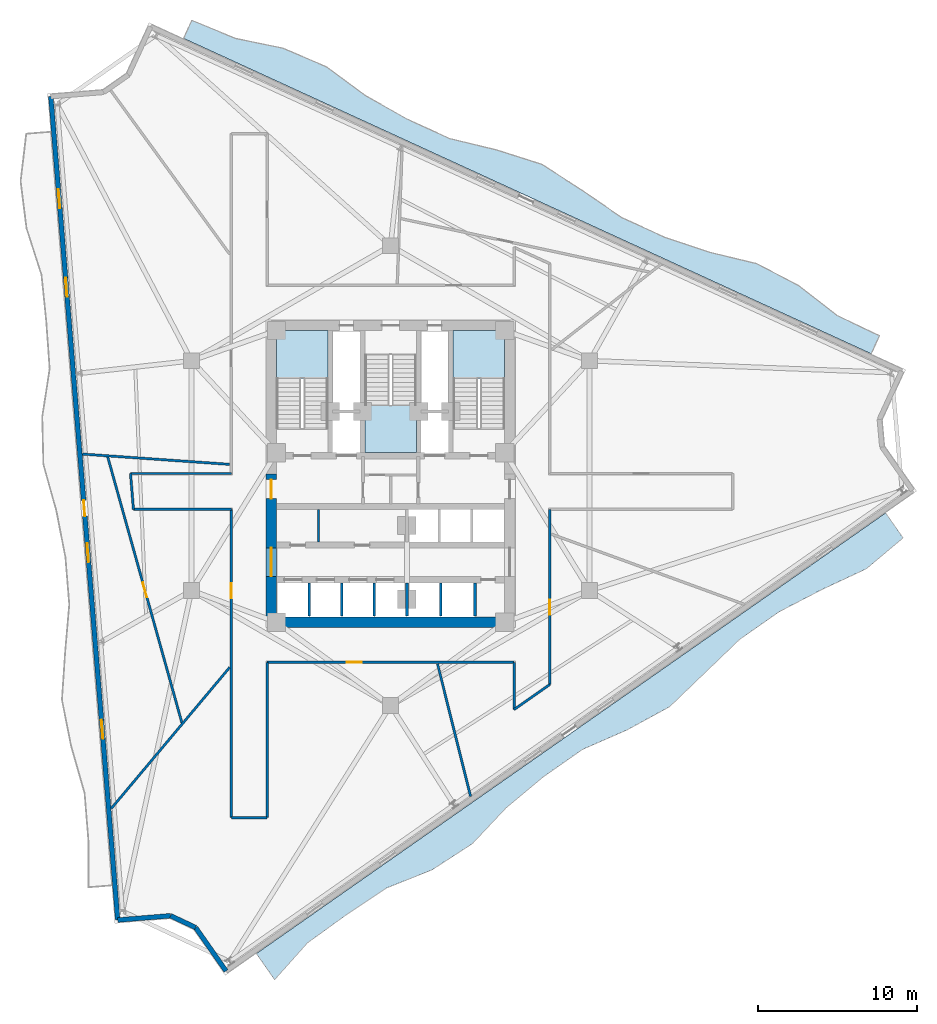
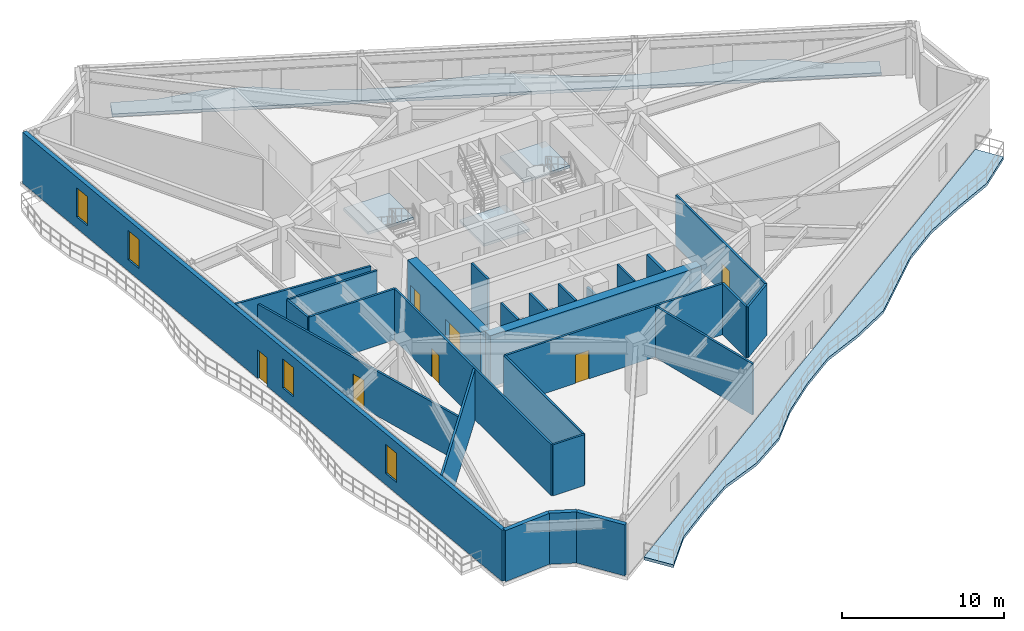
# One storey, part 4 of 11: 27 walls, 7 doors, 5 slabs, 4 windows, 11 openings, 3 elements without a shape of their own.
"""IFC4 building model written with IfcOpenShell, lengths in metres."""

from ifc_helpers import new_model, si_unit, direction, frame, frame_2d, origin, place, context, subcontext, project, spatial, polyline, rectangle, outline, extrude, material, layer, layer_set, type_object, element, fill, aggregate, save


model = new_model("IFC4")

# Units and contexts
model_context = context("Model", 3, precision=1e-05, world=origin(), true_north=direction((0.0, 1.0)))
body_context = subcontext(model_context, "Body", "Model", "MODEL_VIEW")
ifc_project = project(units=[si_unit("LENGTHUNIT", "METRE"), si_unit("AREAUNIT", "SQUARE_METRE"), si_unit("VOLUMEUNIT", "CUBIC_METRE"), si_unit("PLANEANGLEUNIT", "RADIAN"), si_unit("MASSUNIT", "GRAM", prefix="KILO")], contexts=[model_context])

# Site, building, storey
site_placement = place(None, origin())
site = spatial("IfcSite", under=ifc_project, at=site_placement, CompositionType="ELEMENT")
building_placement = place(site_placement, origin())
building = spatial("IfcBuilding", under=site, at=building_placement, Name="Apsidion Concourse Tower", CompositionType="ELEMENT")
storey_placement = place(building_placement, frame((0.0, 0.0, 206.5)))
storey = spatial("IfcBuildingStorey", under=building, at=storey_placement, Name="L48", CompositionType="ELEMENT", Elevation=206.5)

# Slabs
ifc_material_1 = material(Name="Concrete C50/60", Category="concrete")
ifc_layer_1 = layer(ifc_material_1, 0.219970703125)
ifc_layer_set_1 = layer_set([ifc_layer_1], Name="Concrete C50/60")
slab_type_1 = type_object("IfcSlabType", Name="SL-BAL-220", PredefinedType="FLOOR", material=ifc_layer_set_1)
slab_1_placement = place(storey_placement, frame((0.0, 0.0, -0.219970703125)))
element("IfcSlab", 1, at=slab_1_placement, inside=storey, type_object=slab_type_1, Name="L48 Face 2 Rippling Balcony Slab", PredefinedType="FLOOR", context=body_context, shape_type="SweptSolid", body=[
    extrude(outline(polyline([(-8.46728515625, -30.153564453125), (-5.986083984375, -28.416259765625), (-3.5048828125, -26.678955078125), (-1.023681640625, -24.941650390625), (1.457275390625, -23.204345703125), (3.9384765625, -21.467041015625), (6.419677734375, -19.729736328125), (8.90087890625, -17.992431640625), (11.3818359375, -16.255126953125), (13.863037109375, -14.517578125), (16.34423828125, -12.780517578125), (18.8251953125, -11.043212890625), (21.306396484375, -9.305908203125), (23.78759765625, -7.568603515625), (26.268798828125, -5.831298828125), (28.75, -4.093994140625), (31.23095703125, -2.356689453125), (32.331787109375, -3.9287109375), (30.002685546875, -5.8828125), (27.216796875, -7.185302734375), (24.504638671875, -8.59228515625), (22.0234375, -10.329833984375), (19.81298828125, -12.45361328125), (17.603515625, -14.5791015625), (14.92919921875, -16.040283203125), (12.098876953125, -17.279052734375), (9.61767578125, -19.016357421875), (7.283203125, -20.963134765625), (5.163330078125, -23.21630859375), (2.62158203125, -24.8671875), (-0.265625, -26.0244140625), (-2.7880859375, -27.702880859375), (-5.24365234375, -29.4765625), (-7.314697265625, -31.7998046875), (-8.46728515625, -30.153564453125)])), origin(), (0.0, 0.0, 1.0), 0.219970703125),
])
slab_2_placement = place(storey_placement, frame((0.0, 0.0, -0.219970703125)))
element("IfcSlab", 2, at=slab_2_placement, inside=storey, type_object=slab_type_1, Name="L48 Face 3 Rippling Balcony Slab", PredefinedType="FLOOR", context=body_context, shape_type="SweptSolid", body=[
    extrude(outline(polyline([(30.32080078125, 7.6865234375), (27.609375, 8.93017578125), (24.898193359375, 10.174072265625), (22.186767578125, 11.417724609375), (19.475341796875, 12.661376953125), (16.76416015625, 13.9052734375), (14.052734375, 15.14892578125), (11.34130859375, 16.392578125), (8.630126953125, 17.636474609375), (5.918701171875, 18.880126953125), (3.20751953125, 20.123779296875), (0.49609375, 21.36767578125), (-2.215087890625, 22.611328125), (-4.926513671875, 23.85498046875), (-7.637939453125, 25.098876953125), (-10.34912109375, 26.342529296875), (-13.060546875, 27.586181640625), (-12.539306640625, 28.722412109375), (-9.781005859375, 27.5810546875), (-6.782958984375, 26.962646484375), (-4.039794921875, 25.7880859375), (-1.5908203125, 23.972900390625), (1.017333984375, 22.50390625), (3.728515625, 21.260009765625), (6.68359375, 20.547607421875), (9.547119140625, 19.63525390625), (12.07958984375, 18.001708984375), (14.573974609375, 16.28515625), (17.285400390625, 15.041259765625), (20.12890625, 14.086181640625), (23.08544921875, 13.376708984375), (25.7333984375, 11.994873046875), (28.150390625, 10.109375), (30.841796875, 8.822509765625), (30.32080078125, 7.6865234375)])), origin(), (0.0, 0.0, 1.0), 0.219970703125),
])

# Stair, slab
ifc_material_2 = material(Name="Precast concrete C40/50", Category="concrete")
stair_type = type_object("IfcStairType", Name="ST-DL-1550", PredefinedType="HALF_TURN_STAIR", material=ifc_material_2)
stair_1_placement = place(storey_placement, origin())
stair_1 = element("IfcStair", 3, at=stair_1_placement, inside=storey, type_object=stair_type, Name="L48 Protected Core Exit Stair ST1", PredefinedType="HALF_TURN_STAIR")
ifc_layer_2 = layer(ifc_material_1, 0.199951171875)
ifc_layer_set_2 = layer_set([ifc_layer_2], Name="Concrete C50/60")
slab_type_2 = type_object("IfcSlabType", Name="SL-ST-LAND-200", PredefinedType="LANDING", material=ifc_layer_set_2)
slab_3_placement = place(storey_placement, frame((0.0, 0.0, 1.85009765625)))
slab_3 = element("IfcSlab", 4, at=slab_3_placement, type_object=slab_type_2, Name="ST1 landing 1", PredefinedType="LANDING", context=body_context, shape_type="SweptSolid", body=[
    extrude(outline(polyline([(-3.949951171875, 6.135009765625), (-3.949951171875, 9.14990234375), (-7.199951171875, 9.14990234375), (-7.199951171875, 6.135009765625), (-3.949951171875, 6.135009765625)])), origin(), (0.0, 0.0, 1.0), 0.199951171875),
])
aggregate(stair_1, [slab_3])

stair_2_placement = place(storey_placement, origin())
stair_2 = element("IfcStair", 5, at=stair_2_placement, inside=storey, type_object=stair_type, Name="L48 Protected Core Exit Stair ST2", PredefinedType="HALF_TURN_STAIR")
slab_4_placement = place(storey_placement, frame((0.0, 0.0, 1.85009765625)))
slab_4 = element("IfcSlab", 6, at=slab_4_placement, type_object=slab_type_2, Name="ST2 landing 1", PredefinedType="LANDING", context=body_context, shape_type="SweptSolid", body=[
    extrude(outline(polyline([(7.199951171875, 6.135009765625), (7.199951171875, 9.14990234375), (3.949951171875, 9.14990234375), (3.949951171875, 6.135009765625), (7.199951171875, 6.135009765625)])), origin(), (0.0, 0.0, 1.0), 0.199951171875),
])
aggregate(stair_2, [slab_4])

stair_3_placement = place(storey_placement, origin())
stair_3 = element("IfcStair", 7, at=stair_3_placement, inside=storey, type_object=stair_type, Name="L48 Protected Core Exit Stair ST3", PredefinedType="HALF_TURN_STAIR")
slab_5_placement = place(storey_placement, frame((0.0, 0.0, 1.85009765625)))
slab_5 = element("IfcSlab", 8, at=slab_5_placement, type_object=slab_type_2, Name="ST3 landing 1", PredefinedType="LANDING", context=body_context, shape_type="SweptSolid", body=[
    extrude(outline(polyline([(-1.625, 4.465087890625), (-1.625, 1.449951171875), (1.625, 1.449951171875), (1.625, 4.465087890625), (-1.625, 4.465087890625)])), origin(), (0.0, 0.0, 1.0), 0.199951171875),
])
aggregate(stair_3, [slab_5])

# Walls
ifc_layer_3 = layer(ifc_material_2, 0.300048828125)
ifc_layer_set_3 = layer_set([ifc_layer_3], Name="Precast concrete C40/50")
wall_type_1 = type_object("IfcWallType", Name="WL-EXT-300", PredefinedType="STANDARD", material=ifc_layer_set_3)
wall_1_placement = place(storey_placement, frame((-10.384033203125, -31.251708984375, 0.0), z_axis=(0.0, 0.0, 1.0), x_axis=(-0.573550493689, 0.819170208925, 0.0)))
element("IfcWall", 9, at=wall_1_placement, inside=storey, type_object=wall_type_1, Name="L48 Precast Stone Facade Wall 06", PredefinedType="STANDARD", context=body_context, shape_type="SweptSolid", body=[
    extrude(rectangle(XDim=3.345703125, YDim=0.300048828125, at=frame_2d((1.6728515625, 0.0))), origin(), (0.0, 0.0, 1.0), 3.85009765625),
])
wall_2_placement = place(storey_placement, frame((-12.302978515625, -28.510986328125, 0.0), z_axis=(0.0, 0.0, 1.0), x_axis=(-0.904974111733, 0.425466634523, 0.0)))
element("IfcWall", 10, at=wall_2_placement, inside=storey, type_object=wall_type_1, Name="L48 Precast Stone Facade Wall 07", PredefinedType="STANDARD", context=body_context, shape_type="SweptSolid", body=[
    extrude(rectangle(XDim=1.743896484375, YDim=0.300048828125, at=frame_2d((0.8720703125, 0.0))), origin(), (0.0, 0.0, 1.0), 3.85009765625),
])
wall_3_placement = place(storey_placement, frame((-13.881103515625, -27.76904296875, 0.0), z_axis=(0.0, 0.0, 1.0), x_axis=(-0.996720145674, -0.080925590567, 0.0)))
element("IfcWall", 11, at=wall_3_placement, inside=storey, type_object=wall_type_1, Name="L48 Precast Stone Facade Wall 08", PredefinedType="STANDARD", context=body_context, shape_type="SweptSolid", body=[
    extrude(rectangle(XDim=3.345703125, YDim=0.300048828125, at=frame_2d((1.6728515625, 0.0))), origin(), (0.0, 0.0, 1.0), 3.85009765625),
])

# Wall, openings, door, windows
wall_4_placement = place(storey_placement, frame((-17.2158203125, -28.039794921875, 0.0), z_axis=(0.0, 0.0, 1.0), x_axis=(-0.080930933538, 0.996719711853, 0.0)))
wall_4 = element("IfcWall", 12, at=wall_4_placement, inside=storey, type_object=wall_type_1, Name="L48 Precast Stone Facade Wall 09", PredefinedType="STANDARD", context=body_context, shape_type="SweptSolid", body=[
    extrude(rectangle(XDim=52.127685546875, YDim=0.300048828125, at=frame_2d((26.06396484375, 0.0))), origin(), (0.0, 0.0, 1.0), 3.85009765625),
])
opening_1_placement = place(wall_4_placement, frame((25.56396484375, 0.0, 0.0)))
opening_1 = element("IfcOpeningElement", 13, at=opening_1_placement, cuts=wall_4, Name="Opening D-T1L", PredefinedType="OPENING", context=body_context, shape_type="SweptSolid", body=[
    extrude(rectangle(XDim=1.0, YDim=2.14990234375, at=frame_2d((0.5, 1.074951171875))), frame((0.0, 0.16015625, 0.0), z_axis=(0.0, -1.0, 0.0), x_axis=(1.0, 0.0, 0.0)), (0.0, 0.0, 1.0), 0.320068359375),
])
opening_2_placement = place(wall_4_placement, frame((11.4638671875, 0.0, 0.85009765625)))
opening_2 = element("IfcOpeningElement", 14, at=opening_2_placement, cuts=wall_4, Name="Opening WN-06", PredefinedType="OPENING", context=body_context, shape_type="SweptSolid", body=[
    extrude(rectangle(XDim=1.199951171875, YDim=2.199951171875, at=frame_2d((0.60009765625, 1.10009765625))), frame((0.0, 0.16015625, 0.0), z_axis=(0.0, -1.0, 0.0), x_axis=(1.0, 0.0, 0.0)), (0.0, 0.0, 1.0), 0.320068359375),
])
opening_3_placement = place(wall_4_placement, frame((22.663818359375, 0.0, 0.85009765625)))
opening_3 = element("IfcOpeningElement", 15, at=opening_3_placement, cuts=wall_4, Name="Opening WN-06", PredefinedType="OPENING", context=body_context, shape_type="SweptSolid", body=[
    extrude(rectangle(XDim=1.199951171875, YDim=2.199951171875, at=frame_2d((0.60009765625, 1.10009765625))), frame((0.0, 0.16015625, 0.0), z_axis=(0.0, -1.0, 0.0), x_axis=(1.0, 0.0, 0.0)), (0.0, 0.0, 1.0), 0.320068359375),
])
opening_4_placement = place(wall_4_placement, frame((39.4638671875, 0.0, 0.85009765625)))
opening_4 = element("IfcOpeningElement", 16, at=opening_4_placement, cuts=wall_4, Name="Opening WN-06", PredefinedType="OPENING", context=body_context, shape_type="SweptSolid", body=[
    extrude(rectangle(XDim=1.199951171875, YDim=2.199951171875, at=frame_2d((0.60009765625, 1.10009765625))), frame((0.0, 0.16015625, 0.0), z_axis=(0.0, -1.0, 0.0), x_axis=(1.0, 0.0, 0.0)), (0.0, 0.0, 1.0), 0.320068359375),
])
opening_5_placement = place(wall_4_placement, frame((45.06396484375, 0.0, 0.85009765625)))
opening_5 = element("IfcOpeningElement", 17, at=opening_5_placement, cuts=wall_4, Name="Opening WN-06", PredefinedType="OPENING", context=body_context, shape_type="SweptSolid", body=[
    extrude(rectangle(XDim=1.199951171875, YDim=2.199951171875, at=frame_2d((0.60009765625, 1.10009765625))), frame((0.0, 0.16015625, 0.0), z_axis=(0.0, -1.0, 0.0), x_axis=(1.0, 0.0, 0.0)), (0.0, 0.0, 1.0), 0.320068359375),
])
ifc_material_3 = material(Name="Anodised aluminium EN AW-6063 T6", Category="aluminium")
door_type_1 = type_object("IfcDoorType", Name="DR-TER-1022L", OperationType="SINGLE_SWING_LEFT", PredefinedType="DOOR", material=ifc_material_3)
door_1_placement = place(opening_1_placement, origin())
door_1 = element("IfcDoor", 18, at=door_1_placement, inside=storey, type_object=door_type_1, Name="L48 Balcony Access Door 1", OperationType="SINGLE_SWING_LEFT", OverallHeight=2.14990234375, OverallWidth=1.0, PredefinedType="DOOR", context=body_context, shape_type="SweptSolid", body=[
    extrude(rectangle(XDim=1.0, YDim=2.14990234375, at=frame_2d((0.5, 1.074951171875))), frame((0.0, 0.02490234375, 0.0), z_axis=(0.0, -1.0, 0.0), x_axis=(1.0, 0.0, 0.0)), (0.0, 0.0, 1.0), 0.050048828125),
])
fill(opening_1, door_1)
ifc_material_4 = material(Name="Insulated laminated low-E glass", Category="glass")
window_type = type_object("IfcWindowType", Name="WN-OFF-1224", PartitioningType="SINGLE_PANEL", PredefinedType="WINDOW", material=ifc_material_4)
window_1_placement = place(opening_2_placement, origin())
window_1 = element("IfcWindow", 19, at=window_1_placement, inside=storey, type_object=window_type, Name="L48 Punched Facade Window 9-02", OverallHeight=2.199951171875, OverallWidth=1.199951171875, PartitioningType="SINGLE_PANEL", PredefinedType="WINDOW", context=body_context, shape_type="SweptSolid", body=[
    extrude(rectangle(XDim=1.199951171875, YDim=2.199951171875, at=frame_2d((0.60009765625, 1.10009765625))), frame((0.0, 0.030029296875, 0.0), z_axis=(0.0, -1.0, 0.0), x_axis=(1.0, 0.0, 0.0)), (0.0, 0.0, 1.0), 0.06005859375),
])
fill(opening_2, window_1)
window_2_placement = place(opening_3_placement, origin())
window_2 = element("IfcWindow", 20, at=window_2_placement, inside=storey, type_object=window_type, Name="L48 Punched Facade Window 9-04", OverallHeight=2.199951171875, OverallWidth=1.199951171875, PartitioningType="SINGLE_PANEL", PredefinedType="WINDOW", context=body_context, shape_type="SweptSolid", body=[
    extrude(rectangle(XDim=1.199951171875, YDim=2.199951171875, at=frame_2d((0.60009765625, 1.10009765625))), frame((0.0, 0.030029296875, 0.0), z_axis=(0.0, -1.0, 0.0), x_axis=(1.0, 0.0, 0.0)), (0.0, 0.0, 1.0), 0.06005859375),
])
fill(opening_3, window_2)
window_3_placement = place(opening_4_placement, origin())
window_3 = element("IfcWindow", 21, at=window_3_placement, inside=storey, type_object=window_type, Name="L48 Punched Facade Window 9-07", OverallHeight=2.199951171875, OverallWidth=1.199951171875, PartitioningType="SINGLE_PANEL", PredefinedType="WINDOW", context=body_context, shape_type="SweptSolid", body=[
    extrude(rectangle(XDim=1.199951171875, YDim=2.199951171875, at=frame_2d((0.60009765625, 1.10009765625))), frame((0.0, 0.030029296875, 0.0), z_axis=(0.0, -1.0, 0.0), x_axis=(1.0, 0.0, 0.0)), (0.0, 0.0, 1.0), 0.06005859375),
])
fill(opening_4, window_3)
window_4_placement = place(opening_5_placement, origin())
window_4 = element("IfcWindow", 22, at=window_4_placement, inside=storey, type_object=window_type, Name="L48 Punched Facade Window 9-08", OverallHeight=2.199951171875, OverallWidth=1.199951171875, PartitioningType="SINGLE_PANEL", PredefinedType="WINDOW", context=body_context, shape_type="SweptSolid", body=[
    extrude(rectangle(XDim=1.199951171875, YDim=2.199951171875, at=frame_2d((0.60009765625, 1.10009765625))), frame((0.0, 0.030029296875, 0.0), z_axis=(0.0, -1.0, 0.0), x_axis=(1.0, 0.0, 0.0)), (0.0, 0.0, 1.0), 0.06005859375),
])
fill(opening_5, window_4)

# Walls
ifc_material_5 = material(Name="Gypsum plasterboard partition")
ifc_layer_4 = layer(ifc_material_5, 0.14990234375)
ifc_layer_set_4 = layer_set([ifc_layer_4], Name="Gypsum plasterboard partition")
wall_type_2 = type_object("IfcWallType", Name="WL-INT-PAR-150", PredefinedType="PARTITIONING", material=ifc_layer_set_4)
wall_5_placement = place(storey_placement, frame((-4.550048828125, -4.179931640625, 0.0), z_axis=(0.0, 0.0, 1.0), x_axis=(0.0, 1.0, 0.0)))
element("IfcWall", 23, at=wall_5_placement, inside=storey, type_object=wall_type_2, Name="L48 Interior Partition WL-L48-B1RV1", PredefinedType="PARTITIONING", context=body_context, shape_type="SweptSolid", body=[
    extrude(rectangle(XDim=2.030029296875, YDim=0.14990234375, at=frame_2d((1.01513671875, 0.0))), origin(), (0.0, 0.0, 1.0), 3.85009765625),
])
for number, where, z_axis, x_axis, name in (
    (24, (-5.125, -8.85009765625, 0.0), (0.0, 0.0, 1.0), (0.0, 1.0, 0.0), "L48 Interior Partition WL-L48-B2DIV-1"),
    (25, (-3.074951171875, -8.85009765625, 0.0), (0.0, 0.0, 1.0), (0.0, 1.0, 0.0), "L48 Interior Partition WL-L48-B2DIV-2"),
    (26, (-1.02490234375, -8.85009765625, 0.0), (0.0, 0.0, 1.0), (0.0, 1.0, 0.0), "L48 Interior Partition WL-L48-B2DIV-3"),
    (27, (3.175048828125, -8.85009765625, 0.0), (0.0, 0.0, 1.0), (0.0, 1.0, 0.0), "L48 Interior Partition WL-L48-SHDIV-1"),
):
    element("IfcWall", number, at=place(storey_placement, frame(where, z_axis=z_axis, x_axis=x_axis)), inside=storey, type_object=wall_type_2, Name=name, PredefinedType="PARTITIONING", context=body_context, shape_type="SweptSolid", body=[
        extrude(rectangle(XDim=2.080078125, YDim=0.14990234375, at=frame_2d((1.0400390625, 0.0))), origin(), (0.0, 0.0, 1.0), 3.85009765625),
    ])
wall_6_placement = place(storey_placement, frame((10.050048828125, -13.177490234375, 0.0), z_axis=(0.0, 0.0, 1.0), x_axis=(-0.819144609591, -0.573587054053, 0.0)))
element("IfcWall", 28, at=wall_6_placement, inside=storey, type_object=wall_type_2, Name="L48 Interior Partition WL-L48-CORR-01", PredefinedType="PARTITIONING", context=body_context, shape_type="SweptSolid", body=[
    extrude(rectangle(XDim=2.759033203125, YDim=0.14990234375, at=frame_2d((1.37939453125, 0.0))), origin(), (0.0, 0.0, 1.0), 3.85009765625),
])
wall_7_placement = place(storey_placement, frame((7.7900390625, -14.760009765625, 0.0), z_axis=(0.0, 0.0, 1.0), x_axis=(0.0, 1.0, 0.0)))
element("IfcWall", 29, at=wall_7_placement, inside=storey, type_object=wall_type_2, Name="L48 Interior Partition WL-L48-CORR-02", PredefinedType="PARTITIONING", context=body_context, shape_type="SweptSolid", body=[
    extrude(rectangle(XDim=2.985107421875, YDim=0.14990234375, at=frame_2d((1.49267578125, 0.0))), origin(), (0.0, 0.0, 1.0), 3.85009765625),
])

# Wall, opening, door
wall_8_placement = place(storey_placement, frame((7.7900390625, -11.77490234375, 0.0), z_axis=(0.0, 0.0, 1.0), x_axis=(-1.0, 0.0, 0.0)))
wall_8 = element("IfcWall", 30, at=wall_8_placement, inside=storey, type_object=wall_type_2, Name="L48 Interior Partition WL-L48-CORR-03", PredefinedType="PARTITIONING", context=body_context, shape_type="SweptSolid", body=[
    extrude(rectangle(XDim=15.580078125, YDim=0.14990234375, at=frame_2d((7.7900390625, 0.0))), origin(), (0.0, 0.0, 1.0), 3.85009765625),
])
opening_6_placement = place(wall_8_placement, frame((9.605224609375, 0.0, 0.0)))
opening_6 = element("IfcOpeningElement", 31, at=opening_6_placement, cuts=wall_8, Name="Opening D-01R", PredefinedType="OPENING", context=body_context, shape_type="SweptSolid", body=[
    extrude(rectangle(XDim=0.949951171875, YDim=2.14990234375, at=frame_2d((0.47509765625, 1.074951171875))), frame((0.0, 0.0849609375, 0.0), z_axis=(0.0, -1.0, 0.0), x_axis=(1.0, 0.0, 0.0)), (0.0, 0.0, 1.0), 0.169921875),
])
ifc_material_6 = material(Name="Brushed stainless steel 316", Category="steel")
door_type_2 = type_object("IfcDoorType", Name="DR-INT-D01R", OperationType="SINGLE_SWING_RIGHT", PredefinedType="DOOR", material=ifc_material_6)
door_2_placement = place(opening_6_placement, origin())
door_2 = element("IfcDoor", 32, at=door_2_placement, inside=storey, type_object=door_type_2, Name="L48 Corridor Entry Door 02", OperationType="SINGLE_SWING_RIGHT", OverallHeight=2.14990234375, OverallWidth=0.949951171875, PredefinedType="DOOR", context=body_context, shape_type="SweptSolid", body=[
    extrude(rectangle(XDim=0.949951171875, YDim=2.14990234375, at=frame_2d((0.47509765625, 1.074951171875))), frame((0.0, 0.02490234375, 0.0), z_axis=(0.0, -1.0, 0.0), x_axis=(1.0, 0.0, 0.0)), (0.0, 0.0, 1.0), 0.050048828125),
])
fill(opening_6, door_2)

# Walls
wall_9_placement = place(storey_placement, frame((-7.7900390625, -11.77490234375, 0.0), z_axis=(0.0, 0.0, 1.0), x_axis=(0.0, -1.0, 0.0)))
element("IfcWall", 33, at=wall_9_placement, inside=storey, type_object=wall_type_2, Name="L48 Interior Partition WL-L48-CORR-04", PredefinedType="PARTITIONING", context=body_context, shape_type="SweptSolid", body=[
    extrude(rectangle(XDim=9.80517578125, YDim=0.14990234375, at=frame_2d((4.902587890625, 0.0))), origin(), (0.0, 0.0, 1.0), 3.85009765625),
])
wall_10_placement = place(storey_placement, frame((-7.7900390625, -21.580078125, 0.0), z_axis=(0.0, 0.0, 1.0), x_axis=(-1.0, 0.0, 0.0)))
element("IfcWall", 34, at=wall_10_placement, inside=storey, type_object=wall_type_2, Name="L48 Interior Partition WL-L48-CORR-05", PredefinedType="PARTITIONING", context=body_context, shape_type="SweptSolid", body=[
    extrude(rectangle(XDim=2.260009765625, YDim=0.14990234375, at=frame_2d((1.1298828125, 0.0))), origin(), (0.0, 0.0, 1.0), 3.85009765625),
])

# Wall, opening, door
wall_11_placement = place(storey_placement, frame((-10.050048828125, -21.580078125, 0.0), z_axis=(0.0, 0.0, 1.0), x_axis=(0.0, 1.0, 0.0)))
wall_11 = element("IfcWall", 35, at=wall_11_placement, inside=storey, type_object=wall_type_2, Name="L48 Interior Partition WL-L48-CORR-06", PredefinedType="PARTITIONING", context=body_context, shape_type="SweptSolid", body=[
    extrude(rectangle(XDim=19.4501953125, YDim=0.14990234375, at=frame_2d((9.72509765625, 0.0))), origin(), (0.0, 0.0, 1.0), 3.85009765625),
])
opening_7_placement = place(wall_11_placement, frame((13.845947265625, 0.0, 0.0)))
opening_7 = element("IfcOpeningElement", 36, at=opening_7_placement, cuts=wall_11, Name="Opening D-01L", PredefinedType="OPENING", context=body_context, shape_type="SweptSolid", body=[
    extrude(rectangle(XDim=0.949951171875, YDim=2.14990234375, at=frame_2d((0.47509765625, 1.074951171875))), frame((0.0, 0.0849609375, 0.0), z_axis=(0.0, -1.0, 0.0), x_axis=(1.0, 0.0, 0.0)), (0.0, 0.0, 1.0), 0.169921875),
])
door_type_3 = type_object("IfcDoorType", Name="DR-INT-D01L", OperationType="SINGLE_SWING_LEFT", PredefinedType="DOOR", material=ifc_material_6)
door_3_placement = place(opening_7_placement, origin())
door_3 = element("IfcDoor", 37, at=door_3_placement, inside=storey, type_object=door_type_3, Name="L48 Corridor Entry Door 01", OperationType="SINGLE_SWING_LEFT", OverallHeight=2.14990234375, OverallWidth=0.949951171875, PredefinedType="DOOR", context=body_context, shape_type="SweptSolid", body=[
    extrude(rectangle(XDim=0.949951171875, YDim=2.14990234375, at=frame_2d((0.47509765625, 1.074951171875))), frame((0.0, 0.02490234375, 0.0), z_axis=(0.0, -1.0, 0.0), x_axis=(1.0, 0.0, 0.0)), (0.0, 0.0, 1.0), 0.050048828125),
])
fill(opening_7, door_3)

# Walls
wall_12_placement = place(storey_placement, frame((-10.050048828125, -2.1298828125, 0.0), z_axis=(0.0, 0.0, 1.0), x_axis=(-1.0, 0.0, 0.0)))
element("IfcWall", 38, at=wall_12_placement, inside=storey, type_object=wall_type_2, Name="L48 Interior Partition WL-L48-CORR-07", PredefinedType="PARTITIONING", context=body_context, shape_type="SweptSolid", body=[
    extrude(rectangle(XDim=6.17431640625, YDim=0.14990234375, at=frame_2d((3.087158203125, 0.0))), origin(), (0.0, 0.0, 1.0), 3.85009765625),
])
wall_13_placement = place(storey_placement, frame((-16.224365234375, -2.1298828125, 0.0), z_axis=(0.0, 0.0, 1.0), x_axis=(-0.080977783256, 0.996715906675, 0.0)))
element("IfcWall", 39, at=wall_13_placement, inside=storey, type_object=wall_type_2, Name="L48 Interior Partition WL-L48-CORR-08", PredefinedType="PARTITIONING", context=body_context, shape_type="SweptSolid", body=[
    extrude(rectangle(XDim=2.26708984375, YDim=0.14990234375, at=frame_2d((1.133544921875, 0.0))), origin(), (0.0, 0.0, 1.0), 3.85009765625),
])
wall_14_placement = place(storey_placement, frame((-16.407958984375, 0.1298828125, 0.0), z_axis=(0.0, 0.0, 1.0), x_axis=(1.0, 0.0, 0.0)))
element("IfcWall", 40, at=wall_14_placement, inside=storey, type_object=wall_type_2, Name="L48 Interior Partition WL-L48-CORR-09", PredefinedType="PARTITIONING", context=body_context, shape_type="SweptSolid", body=[
    extrude(rectangle(XDim=6.35791015625, YDim=0.14990234375, at=frame_2d((3.178955078125, 0.0))), origin(), (0.0, 0.0, 1.0), 3.85009765625),
])

# Wall, opening, door
wall_15_placement = place(storey_placement, frame((10.050048828125, -2.1298828125, 0.0), z_axis=(0.0, 0.0, 1.0), x_axis=(0.0, -1.0, 0.0)))
wall_15 = element("IfcWall", 41, at=wall_15_placement, inside=storey, type_object=wall_type_2, Name="L48 Interior Partition WL-L48-CORR-20", PredefinedType="PARTITIONING", context=body_context, shape_type="SweptSolid", body=[
    extrude(rectangle(XDim=11.047607421875, YDim=0.14990234375, at=frame_2d((5.52392578125, 0.0))), origin(), (0.0, 0.0, 1.0), 3.85009765625),
])
opening_8_placement = place(wall_15_placement, frame((5.70166015625, 0.0, 0.0)))
opening_8 = element("IfcOpeningElement", 42, at=opening_8_placement, cuts=wall_15, Name="Opening D-01L", PredefinedType="OPENING", context=body_context, shape_type="SweptSolid", body=[
    extrude(rectangle(XDim=0.949951171875, YDim=2.14990234375, at=frame_2d((0.47509765625, 1.074951171875))), frame((0.0, 0.0849609375, 0.0), z_axis=(0.0, -1.0, 0.0), x_axis=(1.0, 0.0, 0.0)), (0.0, 0.0, 1.0), 0.169921875),
])
door_4_placement = place(opening_8_placement, origin())
door_4 = element("IfcDoor", 43, at=door_4_placement, inside=storey, type_object=door_type_3, Name="L48 Corridor Entry Door 03", OperationType="SINGLE_SWING_LEFT", OverallHeight=2.14990234375, OverallWidth=0.949951171875, PredefinedType="DOOR", context=body_context, shape_type="SweptSolid", body=[
    extrude(rectangle(XDim=0.949951171875, YDim=2.14990234375, at=frame_2d((0.47509765625, 1.074951171875))), frame((0.0, 0.02490234375, 0.0), z_axis=(0.0, -1.0, 0.0), x_axis=(1.0, 0.0, 0.0)), (0.0, 0.0, 1.0), 0.050048828125),
])
fill(opening_8, door_4)

# Walls
wall_16_placement = place(storey_placement, frame((-10.155029296875, 0.710205078125, 0.0), z_axis=(0.0, 0.0, 1.0), x_axis=(-0.997565304972, 0.069738528198, 0.0)))
element("IfcWall", 44, at=wall_16_placement, inside=storey, type_object=wall_type_2, Name="L48 Interior Partition WL-L48-RAD-04-1", PredefinedType="PARTITIONING", context=body_context, shape_type="SweptSolid", body=[
    extrude(rectangle(XDim=9.30517578125, YDim=0.14990234375, at=frame_2d((4.652587890625, 0.0))), origin(), (0.0, 0.0, 1.0), 3.85009765625),
])
wall_17_placement = place(storey_placement, frame((-10.155029296875, -12.102294921875, 0.0), z_axis=(0.0, 0.0, 1.0), x_axis=(-0.642783386064, -0.766047987139, 0.0)))
element("IfcWall", 45, at=wall_17_placement, inside=storey, type_object=wall_type_2, Name="L48 Interior Partition WL-L48-RAD-05-1", PredefinedType="PARTITIONING", context=body_context, shape_type="SweptSolid", body=[
    extrude(rectangle(XDim=11.616455078125, YDim=0.14990234375, at=frame_2d((5.80810546875, 0.0))), origin(), (0.0, 0.0, 1.0), 3.85009765625),
])
wall_18_placement = place(storey_placement, frame((2.9619140625, -11.8798828125, 0.0), z_axis=(0.0, 0.0, 1.0), x_axis=(0.241929217896, -0.970293900593, 0.0)))
element("IfcWall", 46, at=wall_18_placement, inside=storey, type_object=wall_type_2, Name="L48 Interior Partition WL-L48-RAD-06-1", PredefinedType="PARTITIONING", context=body_context, shape_type="SweptSolid", body=[
    extrude(rectangle(XDim=8.62109375, YDim=0.14990234375, at=frame_2d((4.310546875, 0.0))), origin(), (0.0, 0.0, 1.0), 3.85009765625),
])

# Wall, opening, door
wall_19_placement = place(storey_placement, frame((-17.8583984375, 1.2236328125, 0.0), z_axis=(0.0, 0.0, 1.0), x_axis=(0.268755034732, -0.963208560648, 0.0)))
wall_19 = element("IfcWall", 47, at=wall_19_placement, inside=storey, type_object=wall_type_2, Name="L48 Interior Partition WL-L48-CHD-OFWC", PredefinedType="PARTITIONING", context=body_context, shape_type="SweptSolid", body=[
    extrude(rectangle(XDim=17.505126953125, YDim=0.14990234375, at=frame_2d((8.75244140625, 0.0))), origin(), (0.0, 0.0, 1.0), 3.373046875),
])
opening_9_placement = place(wall_19_placement, frame((8.277587890625, 0.0, 0.0)))
opening_9 = element("IfcOpeningElement", 48, at=opening_9_placement, cuts=wall_19, Name="Opening D-04L", PredefinedType="OPENING", context=body_context, shape_type="SweptSolid", body=[
    extrude(rectangle(XDim=0.949951171875, YDim=2.14990234375, at=frame_2d((0.47509765625, 1.074951171875))), frame((0.0, 0.0849609375, 0.0), z_axis=(0.0, -1.0, 0.0), x_axis=(1.0, 0.0, 0.0)), (0.0, 0.0, 1.0), 0.169921875),
])
door_type_4 = type_object("IfcDoorType", Name="DR-INT-D04L", OperationType="SINGLE_SWING_LEFT", PredefinedType="DOOR", material=ifc_material_6)
door_5_placement = place(opening_9_placement, origin())
door_5 = element("IfcDoor", 49, at=door_5_placement, inside=storey, type_object=door_type_4, Name="L48 Suite Connecting Door OFWC", OperationType="SINGLE_SWING_LEFT", OverallHeight=2.14990234375, OverallWidth=0.949951171875, PredefinedType="DOOR", context=body_context, shape_type="SweptSolid", body=[
    extrude(rectangle(XDim=0.949951171875, YDim=2.14990234375, at=frame_2d((0.47509765625, 1.074951171875))), frame((0.0, 0.02490234375, 0.0), z_axis=(0.0, -1.0, 0.0), x_axis=(1.0, 0.0, 0.0)), (0.0, 0.0, 1.0), 0.050048828125),
])
fill(opening_9, door_5)

# Walls
ifc_layer_5 = layer(ifc_material_5, 0.179931640625)
ifc_layer_set_5 = layer_set([ifc_layer_5], Name="Gypsum plasterboard partition")
wall_type_3 = type_object("IfcWallType", Name="WL-INT-PAR-180", PredefinedType="PARTITIONING", material=ifc_layer_set_5)
wall_20_placement = place(storey_placement, frame((1.02490234375, -8.85009765625, 0.0), z_axis=(0.0, 0.0, 1.0), x_axis=(0.0, 1.0, 0.0)))
element("IfcWall", 50, at=wall_20_placement, inside=storey, type_object=wall_type_3, Name="L48 Interior Partition WL-L48-B2END", PredefinedType="PARTITIONING", context=body_context, shape_type="SweptSolid", body=[
    extrude(rectangle(XDim=2.080078125, YDim=0.179931640625, at=frame_2d((1.0400390625, 0.0))), origin(), (0.0, 0.0, 1.0), 2.89794921875),
])
wall_21_placement = place(storey_placement, frame((5.324951171875, -8.85009765625, 0.0), z_axis=(0.0, 0.0, 1.0), x_axis=(0.0, 1.0, 0.0)))
element("IfcWall", 51, at=wall_21_placement, inside=storey, type_object=wall_type_3, Name="L48 Interior Partition WL-L48-SHDIV-2", PredefinedType="PARTITIONING", context=body_context, shape_type="SweptSolid", body=[
    extrude(rectangle(XDim=2.080078125, YDim=0.179931640625, at=frame_2d((1.0400390625, 0.0))), origin(), (0.0, 0.0, 1.0), 3.85009765625),
])

# Wall, openings, doors
ifc_layer_6 = layer(ifc_material_1, 0.64990234375)
ifc_layer_set_6 = layer_set([ifc_layer_6], Name="Concrete C50/60")
wall_type_4 = type_object("IfcWallType", Name="WL-SH-650", PredefinedType="SHEAR", material=ifc_layer_set_6)
wall_22_placement = place(storey_placement, frame((-7.52490234375, -8.925048828125, 0.0), z_axis=(0.0, 0.0, 1.0), x_axis=(0.0, 1.0, 0.0)))
wall_22 = element("IfcWall", 52, at=wall_22_placement, inside=storey, type_object=wall_type_4, Name="L48 Central Core Shear Wall WS", PredefinedType="SHEAR", context=body_context, shape_type="SweptSolid", body=[
    extrude(rectangle(XDim=9.025146484375, YDim=0.64990234375, at=frame_2d((4.5126953125, 0.0))), origin(), (0.0, 0.0, 1.0), 3.85009765625),
])
opening_10_placement = place(wall_22_placement, frame((2.56494140625, 0.0, 0.0)))
opening_10 = element("IfcOpeningElement", 53, at=opening_10_placement, cuts=wall_22, Name="Opening D-06D", PredefinedType="OPENING", context=body_context, shape_type="SweptSolid", body=[
    extrude(rectangle(XDim=1.800048828125, YDim=2.199951171875, at=frame_2d((0.89990234375, 1.10009765625))), frame((0.0, 0.3349609375, 0.0), z_axis=(0.0, -1.0, 0.0), x_axis=(1.0, 0.0, 0.0)), (0.0, 0.0, 1.0), 0.669921875),
])
opening_11_placement = place(wall_22_placement, frame((7.47509765625, 0.0, 0.0)))
opening_11 = element("IfcOpeningElement", 54, at=opening_11_placement, cuts=wall_22, Name="Opening D-FFL", PredefinedType="OPENING", context=body_context, shape_type="SweptSolid", body=[
    extrude(rectangle(XDim=1.199951171875, YDim=2.14990234375, at=frame_2d((0.60009765625, 1.074951171875))), frame((0.0, 0.3349609375, 0.0), z_axis=(0.0, -1.0, 0.0), x_axis=(1.0, 0.0, 0.0)), (0.0, 0.0, 1.0), 0.669921875),
])
door_type_5 = type_object("IfcDoorType", Name="DR-INT-D06D", OperationType="DOUBLE_DOOR_SINGLE_SWING", PredefinedType="DOOR", material=ifc_material_6)
door_6_placement = place(opening_10_placement, origin())
door_6 = element("IfcDoor", 55, at=door_6_placement, inside=storey, type_object=door_type_5, Name="L48 Passenger Lift Lobby WS Portal Door", OperationType="DOUBLE_DOOR_SINGLE_SWING", OverallHeight=2.199951171875, OverallWidth=1.800048828125, PredefinedType="DOOR", context=body_context, shape_type="SweptSolid", body=[
    extrude(rectangle(XDim=1.800048828125, YDim=2.199951171875, at=frame_2d((0.89990234375, 1.10009765625))), frame((0.0, 0.02490234375, 0.0), z_axis=(0.0, -1.0, 0.0), x_axis=(1.0, 0.0, 0.0)), (0.0, 0.0, 1.0), 0.050048828125),
])
fill(opening_10, door_6)
door_type_6 = type_object("IfcDoorType", Name="DR-INT-FFL", OperationType="SINGLE_SWING_LEFT", PredefinedType="DOOR", material=ifc_material_6)
door_7_placement = place(opening_11_placement, origin())
door_7 = element("IfcDoor", 56, at=door_7_placement, inside=storey, type_object=door_type_6, Name="L48 Firefighting Lift Lobby FF1 Door", OperationType="SINGLE_SWING_LEFT", OverallHeight=2.14990234375, OverallWidth=1.199951171875, PredefinedType="DOOR", context=body_context, shape_type="SweptSolid", body=[
    extrude(rectangle(XDim=1.199951171875, YDim=2.14990234375, at=frame_2d((0.60009765625, 1.074951171875))), frame((0.0, 0.02490234375, 0.0), z_axis=(0.0, -1.0, 0.0), x_axis=(1.0, 0.0, 0.0)), (0.0, 0.0, 1.0), 0.050048828125),
])
fill(opening_11, door_7)

# Wall
wall_23_placement = place(storey_placement, frame((-7.52490234375, -9.25, 0.0), z_axis=(0.0, 0.0, 1.0), x_axis=(1.0, 0.0, 0.0)))
element("IfcWall", 57, at=wall_23_placement, inside=storey, type_object=wall_type_4, Name="L48 Central Core Shear Wall S", PredefinedType="SHEAR", context=body_context, shape_type="SweptSolid", body=[
    extrude(rectangle(XDim=15.0498046875, YDim=0.64990234375, at=frame_2d((7.52490234375, 0.0))), origin(), (0.0, 0.0, 1.0), 3.85009765625),
])

save(model, "model.ifc")
